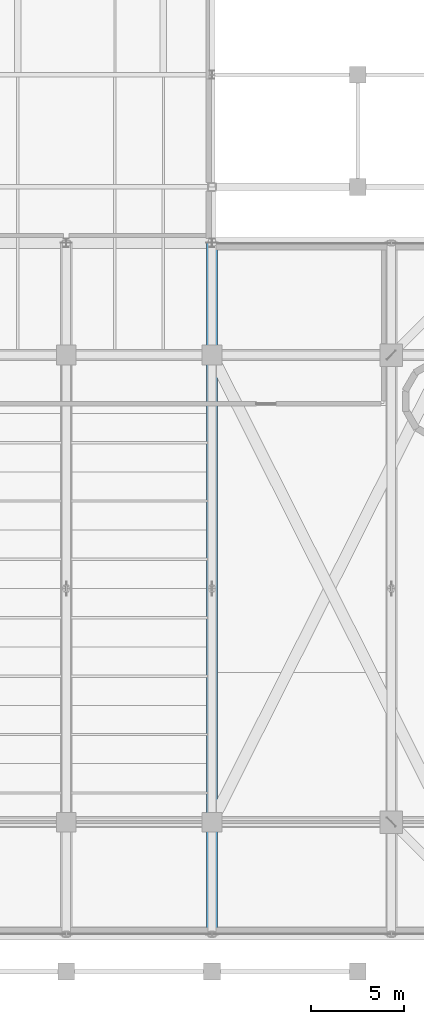
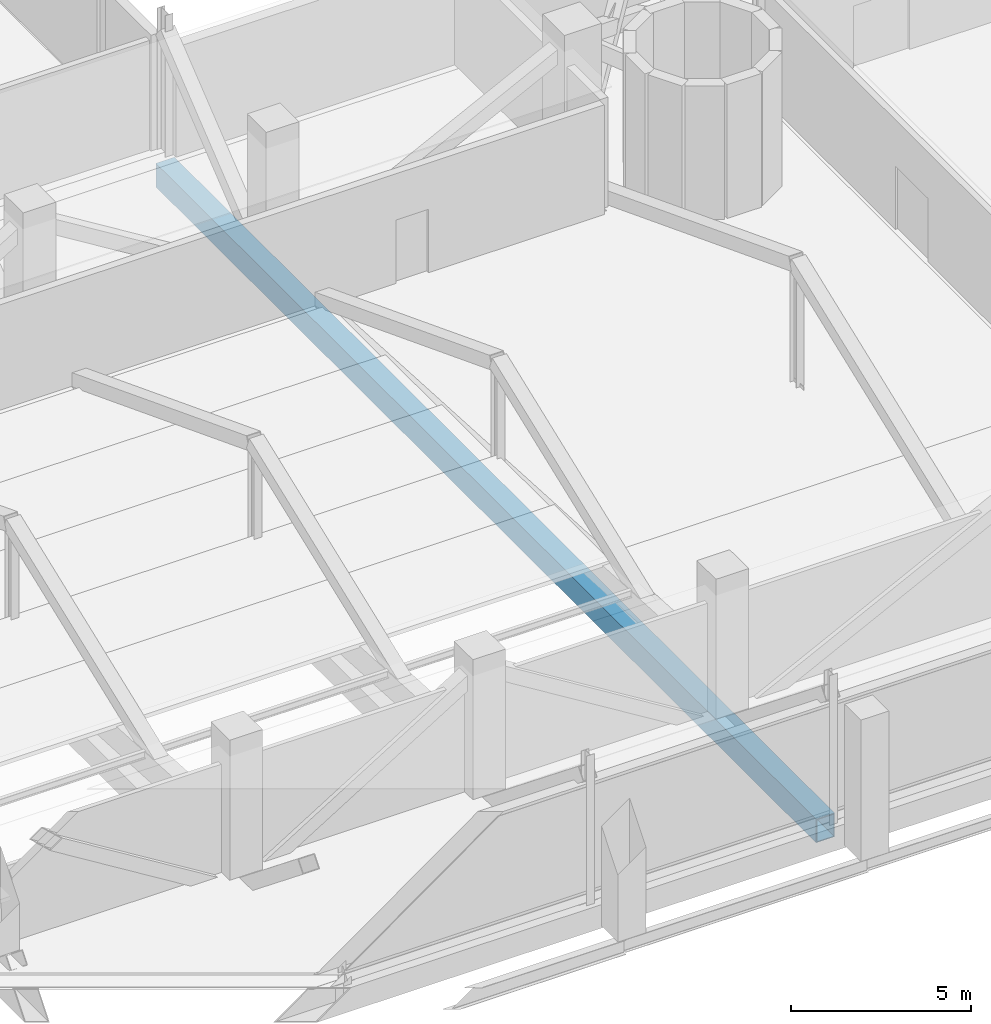
# One storey, part 49 of 127: 1 beam.
"""IFC4 building model written with IfcOpenShell, lengths in metres."""

from ifc_helpers import new_model, si_unit, derived_unit, direction, frame, origin, origin_2d, place, context, subcontext, project, spatial, hollow_rectangle, extrude, material, material_profile, profile_set, type_object, element, save


model = new_model("IFC4")

# Units and contexts
model_context = context("Model", 3, precision=1e-05, world=origin(), true_north=direction((0.0, 1.0)))
body_context = subcontext(model_context, "Body", "Model", "MODEL_VIEW")
ifc_project = project(units=[si_unit("LENGTHUNIT", "METRE"), si_unit("AREAUNIT", "SQUARE_METRE"), si_unit("VOLUMEUNIT", "CUBIC_METRE"), si_unit("PLANEANGLEUNIT", "RADIAN"), si_unit("MASSUNIT", "GRAM", prefix="KILO"), derived_unit("THERMALTRANSMITTANCEUNIT", [(si_unit("POWERUNIT", "WATT"), 1), (si_unit("LENGTHUNIT", "METRE"), -2), (si_unit("THERMODYNAMICTEMPERATUREUNIT", "KELVIN"), -1)])], contexts=[model_context])

# Site, building, storey
site_placement = place(None, origin())
site = spatial("IfcSite", under=ifc_project, at=site_placement, CompositionType="ELEMENT")
building_placement = place(site_placement, origin())
building = spatial("IfcBuilding", under=site, at=building_placement, Name="Nallur Shell Playhouse", CompositionType="ELEMENT")
storey_placement = place(building_placement, frame((0.0, 0.0, 5.39990234375)))
storey = spatial("IfcBuildingStorey", under=building, at=storey_placement, Name="L02", CompositionType="ELEMENT", Elevation=5.39990234375)

# Beam
ifc_material = material(Name="Steel E350", Category="steel")
ifc_material_profile = material_profile(ifc_material, hollow_rectangle(XDim=0.60009765625, YDim=0.800048828125, WallThickness=0.02490234375, at=origin_2d()), Name="BOX 600x800x25")
ifc_profile_set = profile_set([ifc_material_profile], Name="Steel E350")
beam_type = type_object("IfcBeamType", Name="BM-TT-CHORD", PredefinedType="BEAM", material=ifc_profile_set)
beam_placement = place(storey_placement, frame((103.0, 10.298095703125, -0.679931640625), z_axis=(0.0, 1.0, 0.0), x_axis=(-1.0, 0.0, 0.0)))
element("IfcBeam", 1, at=beam_placement, inside=storey, type_object=beam_type, Name="Transfer truss TT-7 bottom chord 1", PredefinedType="BEAM", context=body_context, shape_type="SweptSolid", body=[
    extrude(hollow_rectangle(XDim=0.60009765625, YDim=0.800048828125, WallThickness=0.02490234375, at=origin_2d()), origin(), (0.0, 0.0, 1.0), 36.701904296875),
])

save(model, "model.ifc")
